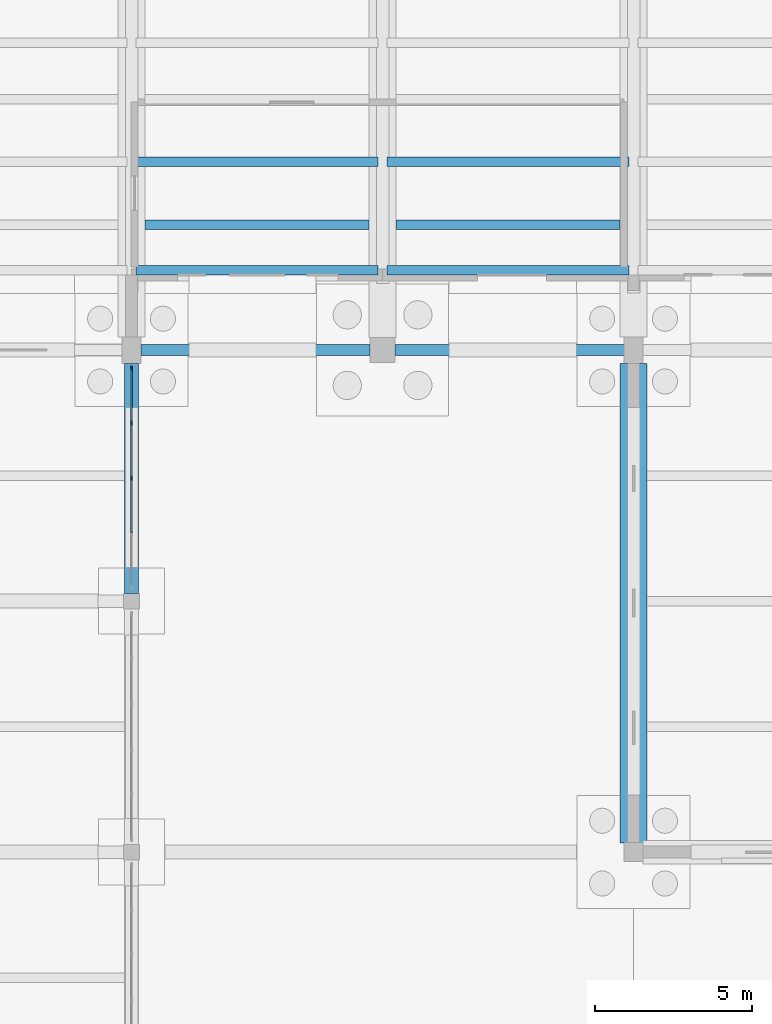
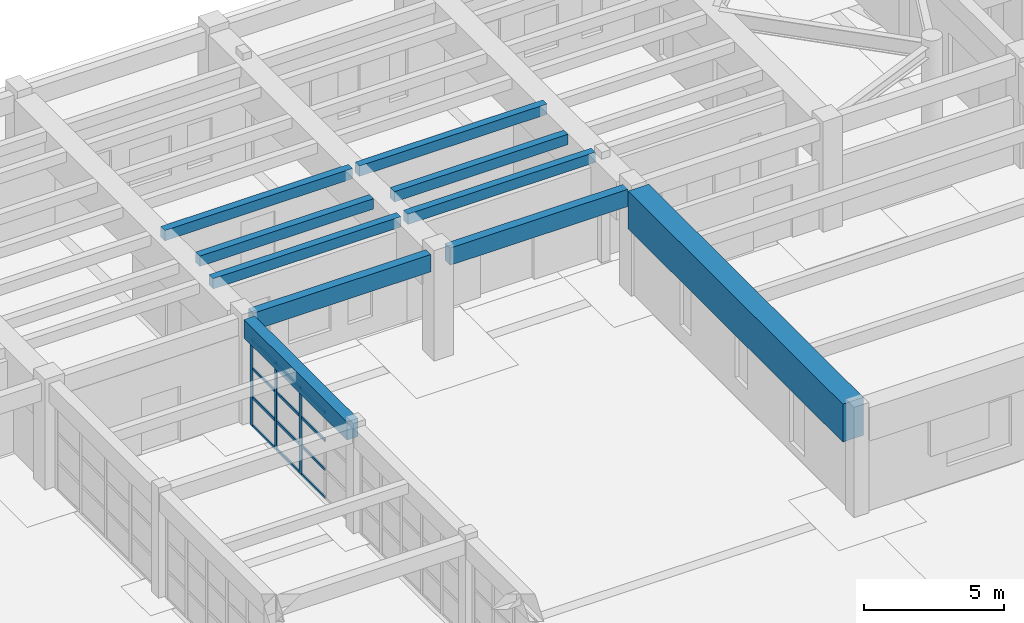
# One storey, part 33 of 68: 15 members, 10 beams, 1 element without a shape of its own.
"""IFC4 building model written with IfcOpenShell, lengths in metres."""

from ifc_helpers import new_model, si_unit, direction, frame, origin, origin_2d, place, context, subcontext, project, spatial, rectangle, extrude, material, material_profile, profile_set, type_object, element, aggregate, save


model = new_model("IFC4")

# Units and contexts
model_context = context("Model", 3, precision=1e-05, world=origin(), true_north=direction((0.0, 1.0)))
body_context = subcontext(model_context, "Body", "Model", "MODEL_VIEW")
ifc_project = project(units=[si_unit("LENGTHUNIT", "METRE"), si_unit("AREAUNIT", "SQUARE_METRE"), si_unit("VOLUMEUNIT", "CUBIC_METRE"), si_unit("PLANEANGLEUNIT", "RADIAN"), si_unit("MASSUNIT", "GRAM", prefix="KILO")], contexts=[model_context])

# Site, building, storey
site_placement = place(None, origin())
site = spatial("IfcSite", under=ifc_project, at=site_placement, CompositionType="ELEMENT")
building_placement = place(site_placement, origin())
building = spatial("IfcBuilding", under=site, at=building_placement, Name="Serraluz Foothill Cableway Terminal", CompositionType="ELEMENT")
storey_placement = place(building_placement, origin())
storey = spatial("IfcBuildingStorey", under=building, at=storey_placement, Name="L00", CompositionType="ELEMENT", Elevation=0.0)

# Beams
ifc_material_1 = material(Name="Concrete C35/45 (f'c 35 MPa)", Category="concrete")
ifc_material_profile_1 = material_profile(ifc_material_1, rectangle(XDim=0.449951171875, YDim=0.800048828125, at=origin_2d()), Name="RC 450x800")
ifc_profile_set_1 = profile_set([ifc_material_profile_1], Name="Concrete C35/45 (f'c 35 MPa)")
beam_type_1 = type_object("IfcBeamType", Name="TYP-BM-RC450X800", PredefinedType="BEAM", material=ifc_profile_set_1)
beam_1_placement = place(storey_placement, frame((128.0, 48.24609375, 4.159912109375), z_axis=(0.0, 1.0, 0.0), x_axis=(-1.0, 0.0, 0.0)))
element("IfcBeam", 1, at=beam_1_placement, inside=storey, type_object=beam_type_1, Name="Transverse Girder BM-Y-L00-0168", PredefinedType="BEAM", context=body_context, shape_type="SweptSolid", body=[
    extrude(rectangle(XDim=0.449951171875, YDim=0.800048828125, at=origin_2d()), origin(), (0.0, 0.0, 1.0), 7.3330078125),
])
ifc_material_profile_2 = material_profile(ifc_material_1, rectangle(XDim=0.85009765625, YDim=1.64990234375, at=origin_2d()), Name="RC TG 850x1650")
ifc_profile_set_2 = profile_set([ifc_material_profile_2], Name="Concrete C35/45 (f'c 35 MPa)")
beam_type_2 = type_object("IfcBeamType", Name="TYP-BM-RCTG1650", PredefinedType="BEAM", material=ifc_profile_set_2)
beam_2_placement = place(storey_placement, frame((144.0, 40.2958984375, 3.794921875), z_axis=(0.0, 1.0, 0.0), x_axis=(-1.0, 0.0, 0.0)))
element("IfcBeam", 2, at=beam_2_placement, inside=storey, type_object=beam_type_2, Name="Transverse Girder BM-Y-L00-0172", PredefinedType="BEAM", context=body_context, shape_type="SweptSolid", body=[
    extrude(rectangle(XDim=0.85009765625, YDim=1.64990234375, at=origin_2d()), origin(), (0.0, 0.0, 1.0), 15.283203125),
])

# Curtain wall, members
ifc_material_2 = material(Name="Architectural bronze alloy C28000", Category="aluminium")
curtain_wall_type = type_object("IfcCurtainWallType", Name="TYP-CW-710X420", PredefinedType="NOTDEFINED", material=ifc_material_2)
curtain_wall_placement = place(storey_placement, origin())
curtain_wall = element("IfcCurtainWall", 3, at=curtain_wall_placement, inside=storey, type_object=curtain_wall_type, Name="Ribbed Glazed Curtain Wall CW-CLE-L00-48", PredefinedType="NOTDEFINED")
ifc_material_profile_3 = material_profile(ifc_material_2, rectangle(XDim=0.06005859375, YDim=0.159912109375, at=origin_2d()), Name="ALU MULLION 60x160")
ifc_profile_set_3 = profile_set([ifc_material_profile_3], Name="Architectural bronze alloy C28000")
member_type_1 = type_object("IfcMemberType", Name="TYP-CW-MUL-60X160", PredefinedType="MULLION", material=ifc_profile_set_3)
member_1_placement = place(storey_placement, frame((128.0, 55.405029296875, 0.0), z_axis=(0.0, 0.0, 1.0), x_axis=(1.0, 0.0, 0.0)))
member_1 = element("IfcMember", 4, at=member_1_placement, type_object=member_type_1, Name="CW-01 mullion 1", PredefinedType="MULLION", context=body_context, shape_type="SweptSolid", body=[
    extrude(rectangle(XDim=0.06005859375, YDim=0.159912109375, at=origin_2d()), origin(), (0.0, 0.0, 1.0), 3.760009765625),
])
member_2_placement = place(storey_placement, frame((128.0, 53.673828125, 0.0), z_axis=(0.0, 0.0, 1.0), x_axis=(1.0, 0.0, 0.0)))
member_2 = element("IfcMember", 5, at=member_2_placement, type_object=member_type_1, Name="CW-01 mullion 2", PredefinedType="MULLION", context=body_context, shape_type="SweptSolid", body=[
    extrude(rectangle(XDim=0.06005859375, YDim=0.159912109375, at=origin_2d()), origin(), (0.0, 0.0, 1.0), 3.760009765625),
])
member_3_placement = place(storey_placement, frame((128.0, 51.91259765625, 0.0), z_axis=(0.0, 0.0, 1.0), x_axis=(1.0, 0.0, 0.0)))
member_3 = element("IfcMember", 6, at=member_3_placement, type_object=member_type_1, Name="CW-01 mullion 3", PredefinedType="MULLION", context=body_context, shape_type="SweptSolid", body=[
    extrude(rectangle(XDim=0.06005859375, YDim=0.159912109375, at=origin_2d()), origin(), (0.0, 0.0, 1.0), 3.760009765625),
])
ifc_material_profile_4 = material_profile(ifc_material_2, rectangle(XDim=0.06005859375, YDim=0.1201171875, at=origin_2d()), Name="ALU TRANSOM 60x120")
ifc_profile_set_4 = profile_set([ifc_material_profile_4], Name="Architectural bronze alloy C28000")
member_type_2 = type_object("IfcMemberType", Name="TYP-CW-TRN-60X120", PredefinedType="USERDEFINED", material=ifc_profile_set_4)
member_4_placement = place(storey_placement, frame((128.0, 55.375, 0.030029296875), z_axis=(0.0, -1.0, 0.0), x_axis=(1.0, 0.0, 0.0)))
member_4 = element("IfcMember", 7, at=member_4_placement, type_object=member_type_2, Name="CW-01 transom 1.1", ObjectType="TRANSOM", PredefinedType="USERDEFINED", context=body_context, shape_type="SweptSolid", body=[
    extrude(rectangle(XDim=0.06005859375, YDim=0.1201171875, at=origin_2d()), origin(), (0.0, 0.0, 1.0), 1.671142578125),
])
member_5_placement = place(storey_placement, frame((128.0, 55.375, 1.25341796875), z_axis=(0.0, -1.0, 0.0), x_axis=(1.0, 0.0, 0.0)))
member_5 = element("IfcMember", 8, at=member_5_placement, type_object=member_type_2, Name="CW-01 transom 1.2", ObjectType="TRANSOM", PredefinedType="USERDEFINED", context=body_context, shape_type="SweptSolid", body=[
    extrude(rectangle(XDim=0.06005859375, YDim=0.1201171875, at=origin_2d()), origin(), (0.0, 0.0, 1.0), 1.671142578125),
])
member_6_placement = place(storey_placement, frame((128.0, 55.375, 2.506591796875), z_axis=(0.0, -1.0, 0.0), x_axis=(1.0, 0.0, 0.0)))
member_6 = element("IfcMember", 9, at=member_6_placement, type_object=member_type_2, Name="CW-01 transom 1.3", ObjectType="TRANSOM", PredefinedType="USERDEFINED", context=body_context, shape_type="SweptSolid", body=[
    extrude(rectangle(XDim=0.06005859375, YDim=0.1201171875, at=origin_2d()), origin(), (0.0, 0.0, 1.0), 1.671142578125),
])
member_7_placement = place(storey_placement, frame((128.0, 55.375, 3.72998046875), z_axis=(0.0, -1.0, 0.0), x_axis=(1.0, 0.0, 0.0)))
member_7 = element("IfcMember", 10, at=member_7_placement, type_object=member_type_2, Name="CW-01 transom 1.4", ObjectType="TRANSOM", PredefinedType="USERDEFINED", context=body_context, shape_type="SweptSolid", body=[
    extrude(rectangle(XDim=0.06005859375, YDim=0.1201171875, at=origin_2d()), origin(), (0.0, 0.0, 1.0), 1.671142578125),
])
member_8_placement = place(storey_placement, frame((128.0, 53.643798828125, 0.030029296875), z_axis=(0.0, -1.0, 0.0), x_axis=(1.0, 0.0, 0.0)))
member_8 = element("IfcMember", 11, at=member_8_placement, type_object=member_type_2, Name="CW-01 transom 2.1", ObjectType="TRANSOM", PredefinedType="USERDEFINED", context=body_context, shape_type="SweptSolid", body=[
    extrude(rectangle(XDim=0.06005859375, YDim=0.1201171875, at=origin_2d()), origin(), (0.0, 0.0, 1.0), 1.701416015625),
])
member_9_placement = place(storey_placement, frame((128.0, 53.643798828125, 1.25341796875), z_axis=(0.0, -1.0, 0.0), x_axis=(1.0, 0.0, 0.0)))
member_9 = element("IfcMember", 12, at=member_9_placement, type_object=member_type_2, Name="CW-01 transom 2.2", ObjectType="TRANSOM", PredefinedType="USERDEFINED", context=body_context, shape_type="SweptSolid", body=[
    extrude(rectangle(XDim=0.06005859375, YDim=0.1201171875, at=origin_2d()), origin(), (0.0, 0.0, 1.0), 1.701416015625),
])
member_10_placement = place(storey_placement, frame((128.0, 53.643798828125, 2.506591796875), z_axis=(0.0, -1.0, 0.0), x_axis=(1.0, 0.0, 0.0)))
member_10 = element("IfcMember", 13, at=member_10_placement, type_object=member_type_2, Name="CW-01 transom 2.3", ObjectType="TRANSOM", PredefinedType="USERDEFINED", context=body_context, shape_type="SweptSolid", body=[
    extrude(rectangle(XDim=0.06005859375, YDim=0.1201171875, at=origin_2d()), origin(), (0.0, 0.0, 1.0), 1.701416015625),
])
member_11_placement = place(storey_placement, frame((128.0, 53.643798828125, 3.72998046875), z_axis=(0.0, -1.0, 0.0), x_axis=(1.0, 0.0, 0.0)))
member_11 = element("IfcMember", 14, at=member_11_placement, type_object=member_type_2, Name="CW-01 transom 2.4", ObjectType="TRANSOM", PredefinedType="USERDEFINED", context=body_context, shape_type="SweptSolid", body=[
    extrude(rectangle(XDim=0.06005859375, YDim=0.1201171875, at=origin_2d()), origin(), (0.0, 0.0, 1.0), 1.701416015625),
])
member_12_placement = place(storey_placement, frame((128.0, 51.882568359375, 0.030029296875), z_axis=(0.0, -1.0, 0.0), x_axis=(1.0, 0.0, 0.0)))
member_12 = element("IfcMember", 15, at=member_12_placement, type_object=member_type_2, Name="CW-01 transom 3.1", ObjectType="TRANSOM", PredefinedType="USERDEFINED", context=body_context, shape_type="SweptSolid", body=[
    extrude(rectangle(XDim=0.06005859375, YDim=0.1201171875, at=origin_2d()), origin(), (0.0, 0.0, 1.0), 1.701416015625),
])
member_13_placement = place(storey_placement, frame((128.0, 51.882568359375, 1.25341796875), z_axis=(0.0, -1.0, 0.0), x_axis=(1.0, 0.0, 0.0)))
member_13 = element("IfcMember", 16, at=member_13_placement, type_object=member_type_2, Name="CW-01 transom 3.2", ObjectType="TRANSOM", PredefinedType="USERDEFINED", context=body_context, shape_type="SweptSolid", body=[
    extrude(rectangle(XDim=0.06005859375, YDim=0.1201171875, at=origin_2d()), origin(), (0.0, 0.0, 1.0), 1.701416015625),
])
member_14_placement = place(storey_placement, frame((128.0, 51.882568359375, 2.506591796875), z_axis=(0.0, -1.0, 0.0), x_axis=(1.0, 0.0, 0.0)))
member_14 = element("IfcMember", 17, at=member_14_placement, type_object=member_type_2, Name="CW-01 transom 3.3", ObjectType="TRANSOM", PredefinedType="USERDEFINED", context=body_context, shape_type="SweptSolid", body=[
    extrude(rectangle(XDim=0.06005859375, YDim=0.1201171875, at=origin_2d()), origin(), (0.0, 0.0, 1.0), 1.701416015625),
])
member_15_placement = place(storey_placement, frame((128.0, 51.882568359375, 3.72998046875), z_axis=(0.0, -1.0, 0.0), x_axis=(1.0, 0.0, 0.0)))
member_15 = element("IfcMember", 18, at=member_15_placement, type_object=member_type_2, Name="CW-01 transom 3.4", ObjectType="TRANSOM", PredefinedType="USERDEFINED", context=body_context, shape_type="SweptSolid", body=[
    extrude(rectangle(XDim=0.06005859375, YDim=0.1201171875, at=origin_2d()), origin(), (0.0, 0.0, 1.0), 1.701416015625),
])
aggregate(curtain_wall, [member_1, member_2, member_3, member_4, member_5, member_6, member_7, member_8, member_9, member_10, member_11, member_12, member_13, member_14, member_15])

# Beams
ifc_material_3 = material(Name="Concrete C28/35 (f'c 28 MPa)", Category="concrete")
ifc_material_profile_5 = material_profile(ifc_material_3, rectangle(XDim=0.300048828125, YDim=0.449951171875, at=origin_2d()), Name="RC 300x450")
ifc_profile_set_5 = profile_set([ifc_material_profile_5], Name="Concrete C28/35 (f'c 28 MPa)")
beam_type_3 = type_object("IfcBeamType", Name="TYP-JS-RC300X450", PredefinedType="JOIST", material=ifc_profile_set_5)
for number, where, z_axis, x_axis, name in (
    (19, (128.429931640625, 60.0, 4.27490234375), (1.0, 0.0, 0.0), (0.0, 1.0, 0.0), "Secondary Floor Joist JS-L00-0060"),
    (20, (136.429931640625, 60.0, 4.27490234375), (1.0, 0.0, 0.0), (0.0, 1.0, 0.0), "Secondary Floor Joist JS-L00-0063"),
):
    element("IfcBeam", number, at=place(storey_placement, frame(where, z_axis=z_axis, x_axis=x_axis)), inside=storey, type_object=beam_type_3, Name=name, PredefinedType="JOIST", context=body_context, shape_type="SweptSolid", body=[
        extrude(rectangle(XDim=0.300048828125, YDim=0.449951171875, at=origin_2d()), origin(), (0.0, 0.0, 1.0), 7.14013671875),
    ])
for number, where, z_axis, x_axis, name in (
    (21, (128.139892578125, 58.550048828125, 4.27490234375), (1.0, 0.0, 0.0), (0.0, 1.0, 0.0), "Composite Deck Joist L00-023"),
    (22, (128.139892578125, 62.0, 4.27490234375), (1.0, 0.0, 0.0), (0.0, 1.0, 0.0), "Composite Deck Joist L00-024"),
    (23, (136.139892578125, 58.550048828125, 4.27490234375), (1.0, 0.0, 0.0), (0.0, 1.0, 0.0), "Composite Deck Joist L00-027"),
    (24, (136.139892578125, 62.0, 4.27490234375), (1.0, 0.0, 0.0), (0.0, 1.0, 0.0), "Composite Deck Joist L00-028"),
):
    element("IfcBeam", number, at=place(storey_placement, frame(where, z_axis=z_axis, x_axis=x_axis)), inside=storey, type_object=beam_type_3, Name=name, PredefinedType="JOIST", context=body_context, shape_type="SweptSolid", body=[
        extrude(rectangle(XDim=0.300048828125, YDim=0.449951171875, at=origin_2d()), origin(), (0.0, 0.0, 1.0), 7.72021484375),
    ])
ifc_material_4 = material(Name="Precast concrete C40/50", Category="concrete")
ifc_material_profile_6 = material_profile(ifc_material_4, rectangle(XDim=0.35009765625, YDim=0.75, at=origin_2d()), Name="RC SP 350x750")
ifc_profile_set_6 = profile_set([ifc_material_profile_6], Name="Precast concrete C40/50")
beam_type_4 = type_object("IfcBeamType", Name="TYP-SP-RC350X750", PredefinedType="SPANDREL", material=ifc_profile_set_6)
for number, where, z_axis, x_axis, name in (
    (25, (128.2958984375, 56.0, 4.125), (1.0, 0.0, 0.0), (0.0, 1.0, 0.0), "Primary Girder BM-X-L00-0072"),
    (26, (136.39599609375, 56.0, 4.125), (1.0, 0.0, 0.0), (0.0, 1.0, 0.0), "Primary Girder BM-X-L00-0073"),
):
    element("IfcBeam", number, at=place(storey_placement, frame(where, z_axis=z_axis, x_axis=x_axis)), inside=storey, type_object=beam_type_4, Name=name, PredefinedType="SPANDREL", context=body_context, shape_type="SweptSolid", body=[
        extrude(rectangle(XDim=0.35009765625, YDim=0.75, at=origin_2d()), origin(), (0.0, 0.0, 1.0), 7.30810546875),
    ])

save(model, "model.ifc")
